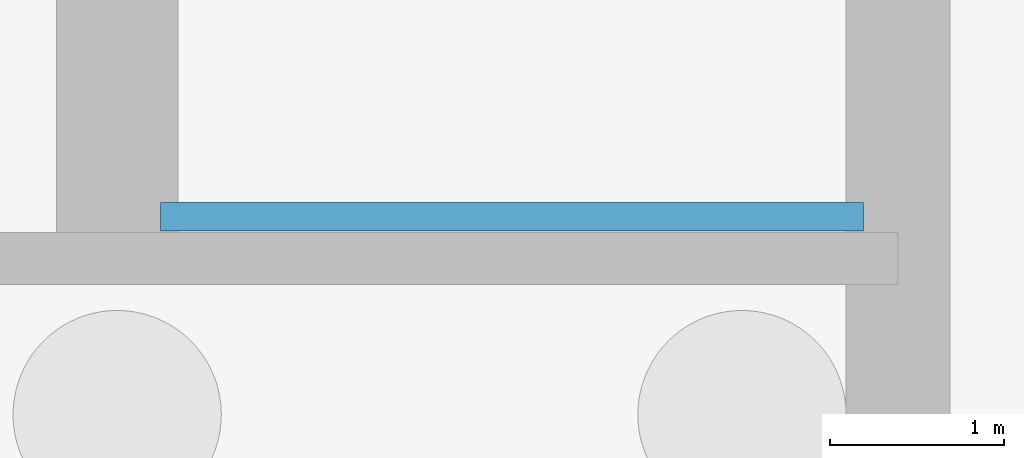
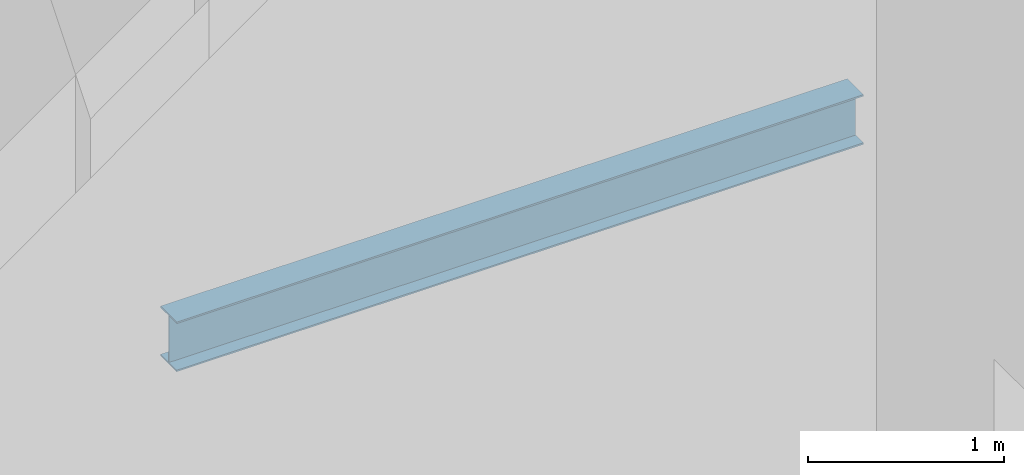
# One storey, part 10 of 24: 1 beam.
"""IFC4 building model written with IfcOpenShell, lengths in metres."""

import ifcopenshell
import ifcopenshell.guid

model = None  # the IFC model being written
_history = None  # IfcOwnerHistory: only IFC2X3 demands one
_inside = {}  # id of a spatial element -> (the spatial element, [elements in it])
_under = {}  # id of a project, library or spatial element -> (it, [spatial elements below it])
_declared = {}  # id of a project -> (the project, [libraries it declares])
_typed = {}  # id of a type object -> (the type object, [elements of that type])
_made_of = {}  # id of a material, layer set ... -> (it, [elements and type objects made of it])


def new_model(schema):
    """Start an empty IFC model of exactly this schema.

    Asked for "IFC4X3", IfcOpenShell would pick the latest addendum, in which some entities
    have other attributes; the version numbers below select the first issue.
    IFC2X3 requires an IfcOwnerHistory on every rooted entity: one is made here for all.
    """
    global model, _history
    if schema == "IFC4X3":
        model = ifcopenshell.file(schema_version=(4, 3, 0, 0))
    else:
        model = ifcopenshell.file(schema=schema)
    _inside.clear()
    _under.clear()
    _declared.clear()
    _typed.clear()
    _made_of.clear()
    _history = None
    if model.schema == "IFC2X3":
        org = make("IfcOrganization", Name="unknown")
        user = make(
            "IfcPersonAndOrganization",
            ThePerson=make("IfcPerson", FamilyName="unknown"),
            TheOrganization=org,
        )
        app = make(
            "IfcApplication",
            ApplicationDeveloper=org,
            Version="unknown",
            ApplicationFullName="unknown",
            ApplicationIdentifier="unknown",
        )
        _history = make(
            "IfcOwnerHistory",
            OwningUser=user,
            OwningApplication=app,
            ChangeAction="ADDED",
            CreationDate=0,
        )
    return model


def make(cls, **values):
    """One entity of the class cls with the attributes given. An attribute that is None is left unset."""
    return model.create_entity(
        cls, **{name: value for name, value in values.items() if value is not None}
    )


def rooted(cls, **values):
    """An entity with a GlobalId (a new one), such as an element, a storey or a relation."""
    return make(cls, GlobalId=ifcopenshell.guid.new(), OwnerHistory=_history, **values)


def si_unit(unit_type, name, prefix=None):
    """IfcSIUnit, for example si_unit("LENGTHUNIT", "METRE", prefix="MILLI")."""
    return make("IfcSIUnit", UnitType=unit_type, Prefix=prefix, Name=name)


def assignment(units):
    """IfcUnitAssignment: the units of a project."""
    return None if units is None else make("IfcUnitAssignment", Units=units)


def point(xyz):
    """IfcCartesianPoint."""
    return None if xyz is None else make("IfcCartesianPoint", Coordinates=xyz)


def direction(xyz):
    """IfcDirection."""
    return None if xyz is None else make("IfcDirection", DirectionRatios=xyz)


def frame(location, z_axis=None, x_axis=None):
    """IfcAxis2Placement3D, a coordinate frame: its origin and axes. An axis left out is left unset."""
    return make(
        "IfcAxis2Placement3D",
        Location=point(location),
        Axis=direction(z_axis),
        RefDirection=direction(x_axis),
    )


def frame_2d(location, x_axis=None):
    """IfcAxis2Placement2D, a coordinate frame in the plane: its origin and x axis."""
    return make(
        "IfcAxis2Placement2D", Location=point(location), RefDirection=direction(x_axis)
    )


def origin():
    """The frame at (0, 0, 0) with its axes left unset."""
    return frame((0.0, 0.0, 0.0))


def origin_2d():
    """The frame at (0, 0) in the plane with its x axis left unset."""
    return frame_2d((0.0, 0.0))


def place(relative_to, where):
    """IfcLocalPlacement: puts the frame where relative to a parent placement (None: the world)."""
    return make(
        "IfcLocalPlacement", PlacementRelTo=relative_to, RelativePlacement=where
    )


def context(
    kind, dimensions, precision=None, world=None, true_north=None, identifier=None
):
    """IfcGeometricRepresentationContext, for example the 3D "Model" context."""
    return make(
        "IfcGeometricRepresentationContext",
        ContextIdentifier=identifier,
        ContextType=kind,
        CoordinateSpaceDimension=dimensions,
        Precision=precision,
        WorldCoordinateSystem=world,
        TrueNorth=true_north,
    )


def subcontext(parent, identifier, kind, view, scale=None):
    """IfcGeometricRepresentationSubContext, for example "Body" below "Model"."""
    return make(
        "IfcGeometricRepresentationSubContext",
        ContextIdentifier=identifier,
        ContextType=kind,
        ParentContext=parent,
        TargetScale=scale,
        TargetView=view,
    )


def project(units=None, contexts=None):
    """IfcProject with its units and contexts."""
    return rooted(
        "IfcProject",
        Name="project",
        RepresentationContexts=contexts,
        UnitsInContext=assignment(units),
    )


def spatial(cls, under=None, at=None, **own):
    """A site, building, storey or space (cls), placed at a placement, below another one or the project."""
    s = rooted(cls, ObjectPlacement=at, **own)
    if under is not None:
        _under.setdefault(under.id(), (under, []))[1].append(s)
    return s


def profile(cls, at=None, kind="AREA", **sizes):
    """A parametric profile (cls). Its sizes go by their IFC names, for example OverallWidth=200.0."""
    return make(cls, ProfileType=kind, Position=at, **sizes)


def i_section(**sizes):
    """IfcIShapeProfileDef."""
    return profile("IfcIShapeProfileDef", **sizes)


def extrude(swept, where, along, depth):
    """IfcExtrudedAreaSolid: the profile swept, set in the frame where, extruded along a direction by depth."""
    return make(
        "IfcExtrudedAreaSolid",
        SweptArea=swept,
        Position=where,
        ExtrudedDirection=direction(along),
        Depth=depth,
    )


def shape(context_of_items, identifier, shape_type, items):
    """IfcShapeRepresentation: the items that make up one representation, for example the "Body"."""
    return make(
        "IfcShapeRepresentation",
        ContextOfItems=context_of_items,
        RepresentationIdentifier=identifier,
        RepresentationType=shape_type,
        Items=items,
    )


def material(Name=None, Category=None):
    """IfcMaterial."""
    return make("IfcMaterial", Name=Name, Category=Category)


def material_profile(
    of_material, cross_section, Name=None, Category=None, Priority=None
):
    """IfcMaterialProfile: a cross section and its material."""
    return make(
        "IfcMaterialProfile",
        Name=Name,
        Material=of_material,
        Profile=cross_section,
        Priority=Priority,
        Category=Category,
    )


def profile_set(profiles, Name=None, composite=None):
    """IfcMaterialProfileSet."""
    return make(
        "IfcMaterialProfileSet",
        Name=Name,
        MaterialProfiles=profiles,
        CompositeProfile=composite,
    )


def made_of(thing, what):
    """Note that an element or type object is made of a material, layer set ...; save() writes the relation."""
    if what is not None:
        _made_of.setdefault(what.id(), (what, []))[1].append(thing)
    return thing


def type_object(cls, material=None, **own):
    """A type object (cls), such as IfcWallType, which elements share."""
    return made_of(rooted(cls, **own), material)


def element(
    cls,
    number,
    at=None,
    inside=None,
    cuts=None,
    type_object=None,
    material=None,
    context=None,
    identifier="Body",
    shape_type=None,
    held_by="IfcProductDefinitionShape",
    body=None,
    shapes=None,
    **own,
):
    """One element of the class cls, such as IfcWall. Its Tag is "e" and its number.

    at: its placement. inside: the storey or other place that contains it. cuts: it is an
    opening in that element (IfcRelVoidsElement). A single representation is given by context,
    identifier, shape_type and body (its items); several are given by shapes. held_by: the class
    of the entity that holds the representations. save() writes the other relations.
    """
    e = rooted(cls, Tag="e%d" % number, ObjectPlacement=at, **own)
    if body is not None:
        shapes = [shape(context, identifier, shape_type, body)]
    if shapes is not None:
        e.Representation = make(held_by, Representations=shapes)
    if inside is not None:
        _inside.setdefault(inside.id(), (inside, []))[1].append(e)
    if cuts is not None:
        rooted(
            "IfcRelVoidsElement", RelatingBuildingElement=cuts, RelatedOpeningElement=e
        )
    if type_object is not None:
        _typed.setdefault(type_object.id(), (type_object, []))[1].append(e)
    return made_of(e, material)


def aggregate(whole, parts):
    """IfcRelAggregates: a whole, such as a stair, and the parts it consists of."""
    return rooted("IfcRelAggregates", RelatingObject=whole, RelatedObjects=parts)


def save(model, path):
    """Write the relations noted so far, then the file.

    IfcRelAggregates (storeys below a building ...), IfcRelContainedInSpatialStructure (elements
    in a storey), IfcRelDefinesByType, IfcRelAssociatesMaterial and IfcRelDeclares: one each for
    every whole, place, type object, material and project.
    """
    for whole, parts in _under.values():
        aggregate(whole, parts)
    for where, things in _inside.values():
        rooted(
            "IfcRelContainedInSpatialStructure",
            RelatedElements=things,
            RelatingStructure=where,
        )
    for kind, things in _typed.values():
        rooted("IfcRelDefinesByType", RelatedObjects=things, RelatingType=kind)
    for what, things in _made_of.values():
        rooted("IfcRelAssociatesMaterial", RelatedObjects=things, RelatingMaterial=what)
    for by, libraries in _declared.values():
        rooted("IfcRelDeclares", RelatingContext=by, RelatedDefinitions=libraries)
    model.write(path)


model = new_model("IFC4")

# Units and contexts
model_context = context("Model", 3, precision=1e-05, world=origin(), true_north=direction((0.0, 1.0)))
body_context = subcontext(model_context, "Body", "Model", "MODEL_VIEW")
ifc_project = project(units=[si_unit("LENGTHUNIT", "METRE"), si_unit("AREAUNIT", "SQUARE_METRE"), si_unit("VOLUMEUNIT", "CUBIC_METRE"), si_unit("PLANEANGLEUNIT", "RADIAN"), si_unit("MASSUNIT", "GRAM", prefix="KILO")], contexts=[model_context])

# Site, building, storey
site_placement = place(None, origin())
site = spatial("IfcSite", under=ifc_project, at=site_placement, CompositionType="ELEMENT")
building_placement = place(site_placement, origin())
building = spatial("IfcBuilding", under=site, at=building_placement, Name="Corais Broadcast Tower", CompositionType="ELEMENT")
storey_placement = place(building_placement, origin())
storey = spatial("IfcBuildingStorey", under=building, at=storey_placement, Name="L00", CompositionType="ELEMENT", Elevation=0.0)

# Beam
ifc_material = material(Name="Steel ASTM A572 Grade 50", Category="steel")
ifc_material_profile = material_profile(ifc_material, i_section(OverallWidth=0.1650390625, OverallDepth=0.31005859375, WebThickness=0.005859375, FlangeThickness=0.009765625, at=origin_2d()), Name="W310x38.7")
ifc_profile_set = profile_set([ifc_material_profile], Name="Steel ASTM A572 Grade 50")
beam_type = type_object("IfcBeamType", Name="Landing trimmer W310x38.7", PredefinedType="BEAM", material=ifc_profile_set)
beam_placement = place(storey_placement, frame((36.25, 22.739990234375, 2.64501953125), z_axis=(1.0, 0.0, 0.0), x_axis=(0.0, 1.0, 0.0)))
element("IfcBeam", 1, at=beam_placement, inside=storey, type_object=beam_type, Name="LT1 stair B half landing trimmer L00", PredefinedType="BEAM", context=body_context, shape_type="SweptSolid", body=[
    extrude(i_section(OverallWidth=0.1650390625, OverallDepth=0.31005859375, WebThickness=0.005859375, FlangeThickness=0.009765625, at=origin_2d()), origin(), (0.0, 0.0, 1.0), 4.050048828125),
])

save(model, "model.ifc")
